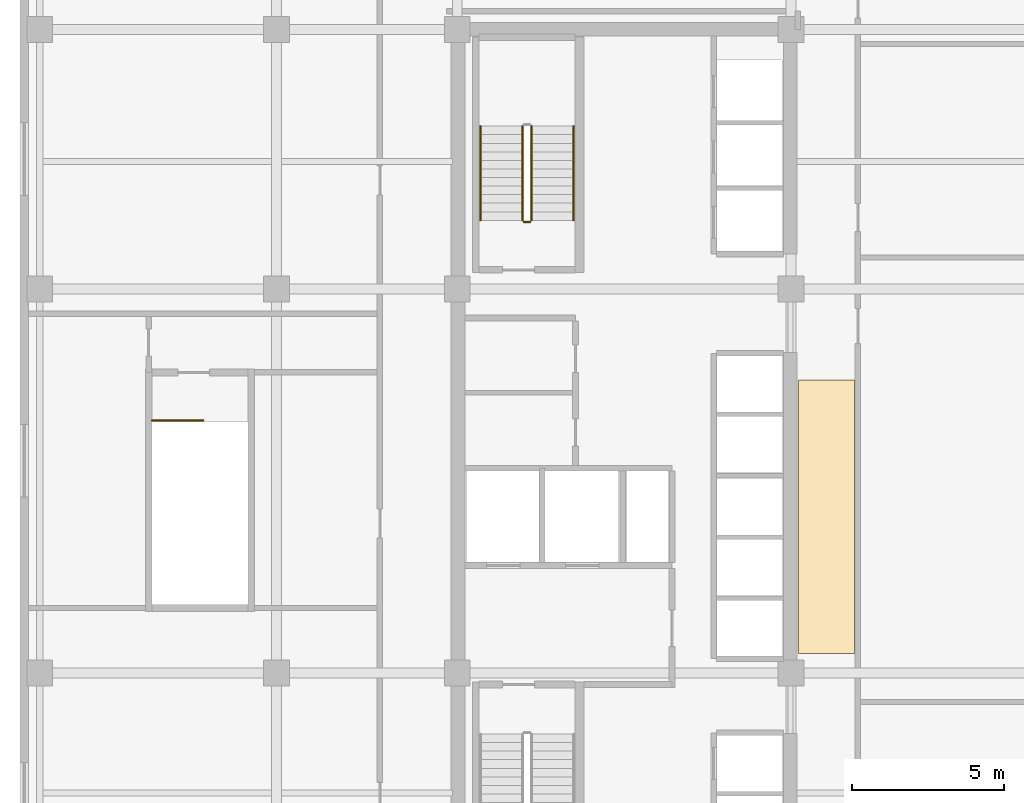
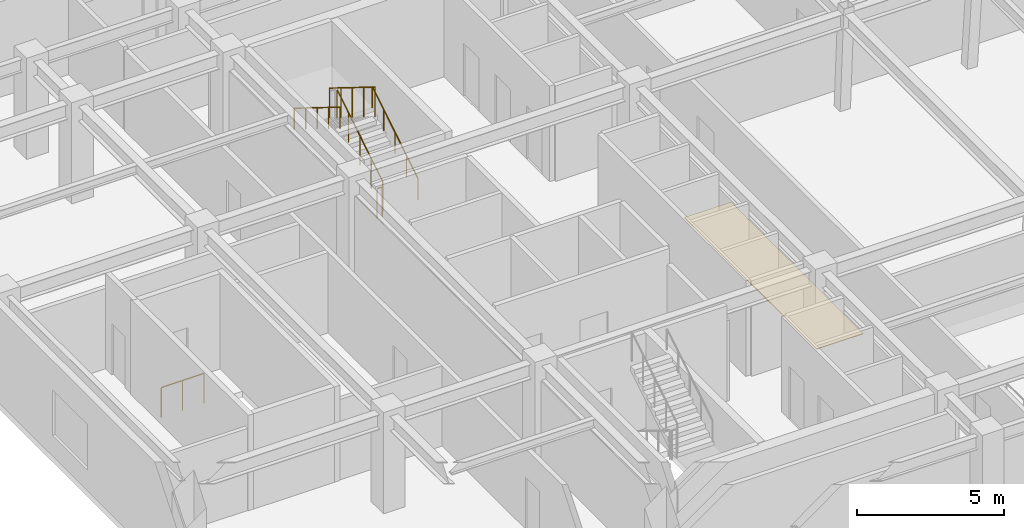
# One storey, part 11 of 13: 6 railings, 1 covering.
"""IFC4 building model written with IfcOpenShell, lengths in metres."""

from ifc_helpers import new_model, si_unit, direction, frame, origin, origin_2d, place, context, subcontext, project, spatial, polyline, circle, outline, extrude, material, layer, layer_set, type_object, element, save


model = new_model("IFC4")

# Units and contexts
model_context = context("Model", 3, precision=1e-05, world=origin(), true_north=direction((0.0, 1.0)))
body_context = subcontext(model_context, "Body", "Model", "MODEL_VIEW")
ifc_project = project(units=[si_unit("LENGTHUNIT", "METRE"), si_unit("AREAUNIT", "SQUARE_METRE"), si_unit("VOLUMEUNIT", "CUBIC_METRE"), si_unit("PLANEANGLEUNIT", "RADIAN"), si_unit("MASSUNIT", "GRAM", prefix="KILO")], contexts=[model_context])

# Site, building, storey
site_placement = place(None, origin())
site = spatial("IfcSite", under=ifc_project, at=site_placement, CompositionType="ELEMENT")
building_placement = place(site_placement, origin())
building = spatial("IfcBuilding", under=site, at=building_placement, Name="Ochreholt Gables", CompositionType="ELEMENT")
storey_placement = place(building_placement, frame((0.0, 0.0, 98.39990234375)))
storey = spatial("IfcBuildingStorey", under=building, at=storey_placement, Name="L25", CompositionType="ELEMENT", Elevation=98.39990234375)

# Covering
ifc_material_1 = material(Name="Polished Terrazzo Floor Finish", Category="concrete")
ifc_layer = layer(ifc_material_1, 0.02490234375, Name="Polished Terrazzo Floor Finish")
ifc_layer_set = layer_set([ifc_layer], Name="Polished Terrazzo Floor Finish")
covering_type = type_object("IfcCoveringType", Name="COV-FLR-TRZ", PredefinedType="FLOORING", material=ifc_layer_set)
covering_placement = place(storey_placement, origin())
element("IfcCovering", 1, at=covering_placement, inside=storey, type_object=covering_type, Name="L25 Floor Finish", PredefinedType="FLOORING", context=body_context, shape_type="SweptSolid", body=[
    extrude(outline(polyline([(35.449951171875, 18.199951171875), (37.280029296875, 18.199951171875), (37.280029296875, 27.199951171875), (35.449951171875, 27.199951171875), (35.449951171875, 18.199951171875)])), origin(), (0.0, 0.0, 1.0), 0.025146484375),
])

# Railings
ifc_material_2 = material(Name="Painted Steel Stair Guardrail", Category="steel")
railing_type_1 = type_object("IfcRailingType", Name="RL-ST-GUARD", PredefinedType="GUARDRAIL", material=ifc_material_2)
railing_1_placement = place(storey_placement, frame((26.64990234375, 32.4599609375, 0.175048828125)))
element("IfcRailing", 2, at=railing_1_placement, inside=storey, type_object=railing_type_1, Name="L25 ST-2 stair guard 1", PredefinedType="GUARDRAIL", context=body_context, shape_type="SweptSolid", body=[
    extrude(circle(Radius=0.02392578125, at=origin_2d()), frame((0.0, 0.0, 1.22607421875), z_axis=(0.0, 0.849684591916, 0.527291280281), x_axis=(-1.0, 0.0, 0.0)), (0.0, 0.0, 1.0), 3.65087890625),
    extrude(circle(Radius=0.02099609375, at=origin_2d()), origin(), (0.0, 0.0, 1.0), 1.201904296875),
    extrude(circle(Radius=0.02099609375, at=origin_2d()), frame((0.0, 0.775390625, 0.481201171875)), (0.0, 0.0, 1.0), 1.201904296875),
    extrude(circle(Radius=0.02099609375, at=origin_2d()), frame((0.0, 1.551025390625, 0.96240234375)), (0.0, 0.0, 1.0), 1.201904296875),
    extrude(circle(Radius=0.02099609375, at=origin_2d()), frame((0.0, 2.32666015625, 1.44384765625)), (0.0, 0.0, 1.0), 1.201904296875),
    extrude(circle(Radius=0.02099609375, at=origin_2d()), frame((0.0, 3.10205078125, 1.925048828125)), (0.0, 0.0, 1.0), 1.201904296875),
])
railing_2_placement = place(storey_placement, frame((26.35009765625, 35.56201171875, 2.275146484375)))
element("IfcRailing", 3, at=railing_2_placement, inside=storey, type_object=railing_type_1, Name="L25 ST-2 stair guard 3", PredefinedType="GUARDRAIL", context=body_context, shape_type="SweptSolid", body=[
    extrude(circle(Radius=0.02392578125, at=origin_2d()), frame((0.0, 0.0, 1.22607421875), z_axis=(0.0, -0.849684591916, 0.527291280281), x_axis=(1.0, 0.0, 0.0)), (0.0, 0.0, 1.0), 3.65087890625),
    extrude(circle(Radius=0.02099609375, at=origin_2d()), origin(), (0.0, 0.0, 1.0), 1.201904296875),
    extrude(circle(Radius=0.02099609375, at=origin_2d()), frame((0.0, -0.775390625, 0.481201171875)), (0.0, 0.0, 1.0), 1.201904296875),
    extrude(circle(Radius=0.02099609375, at=origin_2d()), frame((0.0, -1.551025390625, 0.96240234375)), (0.0, 0.0, 1.0), 1.201904296875),
    extrude(circle(Radius=0.02099609375, at=origin_2d()), frame((0.0, -2.32666015625, 1.44384765625)), (0.0, 0.0, 1.0), 1.201904296875),
    extrude(circle(Radius=0.02099609375, at=origin_2d()), frame((0.0, -3.10205078125, 1.925048828125)), (0.0, 0.0, 1.0), 1.201904296875),
])
railing_3_placement = place(storey_placement, frame((26.60009765625, 32.409912109375, 0.0)))
element("IfcRailing", 4, at=railing_3_placement, inside=storey, type_object=railing_type_1, Name="L25 ST-2 stair guard 4", PredefinedType="GUARDRAIL", context=body_context, shape_type="SweptSolid", body=[
    extrude(circle(Radius=0.02392578125, at=origin_2d()), frame((0.0, 0.0, 1.22607421875), z_axis=(-1.0, 0.0, 0.0), x_axis=(0.0, -1.0, 0.0)), (0.0, 0.0, 1.0), 0.2001953125),
    extrude(circle(Radius=0.02099609375, at=origin_2d()), origin(), (0.0, 0.0, 1.0), 1.201904296875),
    extrude(circle(Radius=0.02099609375, at=origin_2d()), frame((-0.2001953125, 0.0, 0.0)), (0.0, 0.0, 1.0), 1.201904296875),
])
railing_4_placement = place(storey_placement, frame((14.14990234375, 25.8701171875, 0.0)))
element("IfcRailing", 5, at=railing_4_placement, inside=storey, type_object=railing_type_1, Name="L25 ST-C2 top well guard 1", PredefinedType="GUARDRAIL", context=body_context, shape_type="SweptSolid", body=[
    extrude(circle(Radius=0.02392578125, at=origin_2d()), frame((0.0, 0.0, 1.22607421875), z_axis=(1.0, 0.0, 0.0), x_axis=(0.0, 1.0, 0.0)), (0.0, 0.0, 1.0), 1.68017578125),
    extrude(circle(Radius=0.02099609375, at=origin_2d()), origin(), (0.0, 0.0, 1.0), 1.201904296875),
    extrude(circle(Radius=0.02099609375, at=origin_2d()), frame((0.840087890625, 0.0, 0.0)), (0.0, 0.0, 1.0), 1.201904296875),
    extrude(circle(Radius=0.02099609375, at=origin_2d()), frame((1.68017578125, 0.0, 0.0)), (0.0, 0.0, 1.0), 1.201904296875),
])
ifc_material_3 = material(Name="Brushed Stainless Steel Wall Handrail", Category="steel")
railing_type_2 = type_object("IfcRailingType", Name="RL-ST-HAND", PredefinedType="HANDRAIL", material=ifc_material_3)
railing_5_placement = place(storey_placement, frame((28.030029296875, 32.4599609375, 0.175048828125)))
element("IfcRailing", 6, at=railing_5_placement, inside=storey, type_object=railing_type_2, Name="L25 ST-2 stair handrail 1", PredefinedType="HANDRAIL", context=body_context, shape_type="SweptSolid", body=[
    extrude(circle(Radius=0.02392578125, at=origin_2d()), frame((0.0, 0.0, 0.8759765625), z_axis=(0.0, 0.849684591916, 0.527291280281), x_axis=(-1.0, 0.0, 0.0)), (0.0, 0.0, 1.0), 3.65087890625),
    extrude(circle(Radius=0.02099609375, at=origin_2d()), origin(), (0.0, 0.0, 1.0), 0.851806640625),
    extrude(circle(Radius=0.02099609375, at=origin_2d()), frame((0.0, 0.775390625, 0.481201171875)), (0.0, 0.0, 1.0), 0.851806640625),
    extrude(circle(Radius=0.02099609375, at=origin_2d()), frame((0.0, 1.551025390625, 0.96240234375)), (0.0, 0.0, 1.0), 0.851806640625),
    extrude(circle(Radius=0.02099609375, at=origin_2d()), frame((0.0, 2.32666015625, 1.44384765625)), (0.0, 0.0, 1.0), 0.851806640625),
    extrude(circle(Radius=0.02099609375, at=origin_2d()), frame((0.0, 3.10205078125, 1.925048828125)), (0.0, 0.0, 1.0), 0.851806640625),
])
railing_6_placement = place(storey_placement, frame((24.969970703125, 35.56201171875, 2.275146484375)))
element("IfcRailing", 7, at=railing_6_placement, inside=storey, type_object=railing_type_2, Name="L25 ST-2 stair handrail 2", PredefinedType="HANDRAIL", context=body_context, shape_type="SweptSolid", body=[
    extrude(circle(Radius=0.02392578125, at=origin_2d()), frame((0.0, 0.0, 0.8759765625), z_axis=(0.0, -0.849684591916, 0.527291280281), x_axis=(1.0, 0.0, 0.0)), (0.0, 0.0, 1.0), 3.65087890625),
    extrude(circle(Radius=0.02099609375, at=origin_2d()), origin(), (0.0, 0.0, 1.0), 0.851806640625),
    extrude(circle(Radius=0.02099609375, at=origin_2d()), frame((0.0, -0.775390625, 0.481201171875)), (0.0, 0.0, 1.0), 0.851806640625),
    extrude(circle(Radius=0.02099609375, at=origin_2d()), frame((0.0, -1.551025390625, 0.96240234375)), (0.0, 0.0, 1.0), 0.851806640625),
    extrude(circle(Radius=0.02099609375, at=origin_2d()), frame((0.0, -2.32666015625, 1.44384765625)), (0.0, 0.0, 1.0), 0.851806640625),
    extrude(circle(Radius=0.02099609375, at=origin_2d()), frame((0.0, -3.10205078125, 1.925048828125)), (0.0, 0.0, 1.0), 0.851806640625),
])

save(model, "model.ifc")
